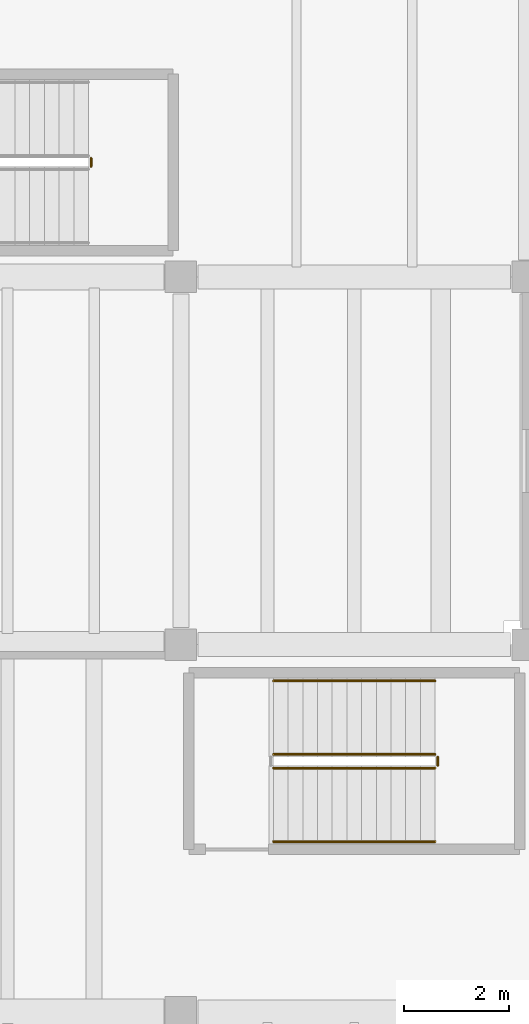
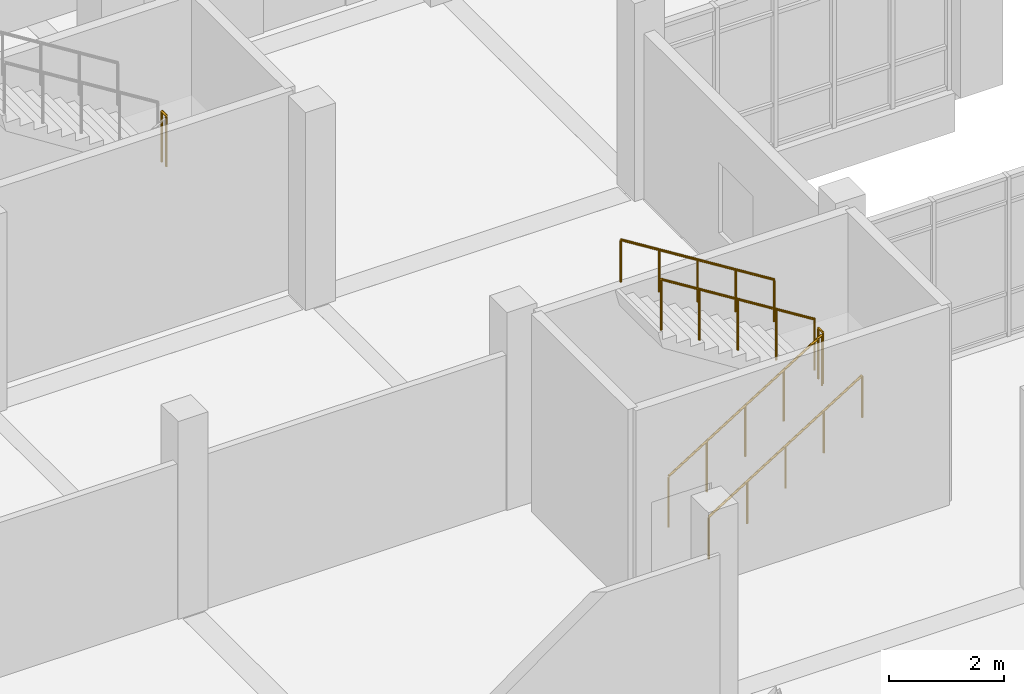
# One storey, part 66 of 68: 6 railings.
"""IFC4 building model written with IfcOpenShell, lengths in metres."""

import ifcopenshell
import ifcopenshell.guid

model = None  # the IFC model being written
_history = None  # IfcOwnerHistory: only IFC2X3 demands one
_inside = {}  # id of a spatial element -> (the spatial element, [elements in it])
_under = {}  # id of a project, library or spatial element -> (it, [spatial elements below it])
_declared = {}  # id of a project -> (the project, [libraries it declares])
_typed = {}  # id of a type object -> (the type object, [elements of that type])
_made_of = {}  # id of a material, layer set ... -> (it, [elements and type objects made of it])


def new_model(schema):
    """Start an empty IFC model of exactly this schema.

    Asked for "IFC4X3", IfcOpenShell would pick the latest addendum, in which some entities
    have other attributes; the version numbers below select the first issue.
    IFC2X3 requires an IfcOwnerHistory on every rooted entity: one is made here for all.
    """
    global model, _history
    if schema == "IFC4X3":
        model = ifcopenshell.file(schema_version=(4, 3, 0, 0))
    else:
        model = ifcopenshell.file(schema=schema)
    _inside.clear()
    _under.clear()
    _declared.clear()
    _typed.clear()
    _made_of.clear()
    _history = None
    if model.schema == "IFC2X3":
        org = make("IfcOrganization", Name="unknown")
        user = make(
            "IfcPersonAndOrganization",
            ThePerson=make("IfcPerson", FamilyName="unknown"),
            TheOrganization=org,
        )
        app = make(
            "IfcApplication",
            ApplicationDeveloper=org,
            Version="unknown",
            ApplicationFullName="unknown",
            ApplicationIdentifier="unknown",
        )
        _history = make(
            "IfcOwnerHistory",
            OwningUser=user,
            OwningApplication=app,
            ChangeAction="ADDED",
            CreationDate=0,
        )
    return model


def make(cls, **values):
    """One entity of the class cls with the attributes given. An attribute that is None is left unset."""
    return model.create_entity(
        cls, **{name: value for name, value in values.items() if value is not None}
    )


def rooted(cls, **values):
    """An entity with a GlobalId (a new one), such as an element, a storey or a relation."""
    return make(cls, GlobalId=ifcopenshell.guid.new(), OwnerHistory=_history, **values)


def si_unit(unit_type, name, prefix=None):
    """IfcSIUnit, for example si_unit("LENGTHUNIT", "METRE", prefix="MILLI")."""
    return make("IfcSIUnit", UnitType=unit_type, Prefix=prefix, Name=name)


def assignment(units):
    """IfcUnitAssignment: the units of a project."""
    return None if units is None else make("IfcUnitAssignment", Units=units)


def point(xyz):
    """IfcCartesianPoint."""
    return None if xyz is None else make("IfcCartesianPoint", Coordinates=xyz)


def direction(xyz):
    """IfcDirection."""
    return None if xyz is None else make("IfcDirection", DirectionRatios=xyz)


def frame(location, z_axis=None, x_axis=None):
    """IfcAxis2Placement3D, a coordinate frame: its origin and axes. An axis left out is left unset."""
    return make(
        "IfcAxis2Placement3D",
        Location=point(location),
        Axis=direction(z_axis),
        RefDirection=direction(x_axis),
    )


def frame_2d(location, x_axis=None):
    """IfcAxis2Placement2D, a coordinate frame in the plane: its origin and x axis."""
    return make(
        "IfcAxis2Placement2D", Location=point(location), RefDirection=direction(x_axis)
    )


def origin():
    """The frame at (0, 0, 0) with its axes left unset."""
    return frame((0.0, 0.0, 0.0))


def origin_2d():
    """The frame at (0, 0) in the plane with its x axis left unset."""
    return frame_2d((0.0, 0.0))


def place(relative_to, where):
    """IfcLocalPlacement: puts the frame where relative to a parent placement (None: the world)."""
    return make(
        "IfcLocalPlacement", PlacementRelTo=relative_to, RelativePlacement=where
    )


def context(
    kind, dimensions, precision=None, world=None, true_north=None, identifier=None
):
    """IfcGeometricRepresentationContext, for example the 3D "Model" context."""
    return make(
        "IfcGeometricRepresentationContext",
        ContextIdentifier=identifier,
        ContextType=kind,
        CoordinateSpaceDimension=dimensions,
        Precision=precision,
        WorldCoordinateSystem=world,
        TrueNorth=true_north,
    )


def subcontext(parent, identifier, kind, view, scale=None):
    """IfcGeometricRepresentationSubContext, for example "Body" below "Model"."""
    return make(
        "IfcGeometricRepresentationSubContext",
        ContextIdentifier=identifier,
        ContextType=kind,
        ParentContext=parent,
        TargetScale=scale,
        TargetView=view,
    )


def project(units=None, contexts=None):
    """IfcProject with its units and contexts."""
    return rooted(
        "IfcProject",
        Name="project",
        RepresentationContexts=contexts,
        UnitsInContext=assignment(units),
    )


def spatial(cls, under=None, at=None, **own):
    """A site, building, storey or space (cls), placed at a placement, below another one or the project."""
    s = rooted(cls, ObjectPlacement=at, **own)
    if under is not None:
        _under.setdefault(under.id(), (under, []))[1].append(s)
    return s


def profile(cls, at=None, kind="AREA", **sizes):
    """A parametric profile (cls). Its sizes go by their IFC names, for example OverallWidth=200.0."""
    return make(cls, ProfileType=kind, Position=at, **sizes)


def circle(**sizes):
    """IfcCircleProfileDef."""
    return profile("IfcCircleProfileDef", **sizes)


def extrude(swept, where, along, depth):
    """IfcExtrudedAreaSolid: the profile swept, set in the frame where, extruded along a direction by depth."""
    return make(
        "IfcExtrudedAreaSolid",
        SweptArea=swept,
        Position=where,
        ExtrudedDirection=direction(along),
        Depth=depth,
    )


def shape(context_of_items, identifier, shape_type, items):
    """IfcShapeRepresentation: the items that make up one representation, for example the "Body"."""
    return make(
        "IfcShapeRepresentation",
        ContextOfItems=context_of_items,
        RepresentationIdentifier=identifier,
        RepresentationType=shape_type,
        Items=items,
    )


def material(Name=None, Category=None):
    """IfcMaterial."""
    return make("IfcMaterial", Name=Name, Category=Category)


def made_of(thing, what):
    """Note that an element or type object is made of a material, layer set ...; save() writes the relation."""
    if what is not None:
        _made_of.setdefault(what.id(), (what, []))[1].append(thing)
    return thing


def type_object(cls, material=None, **own):
    """A type object (cls), such as IfcWallType, which elements share."""
    return made_of(rooted(cls, **own), material)


def element(
    cls,
    number,
    at=None,
    inside=None,
    cuts=None,
    type_object=None,
    material=None,
    context=None,
    identifier="Body",
    shape_type=None,
    held_by="IfcProductDefinitionShape",
    body=None,
    shapes=None,
    **own,
):
    """One element of the class cls, such as IfcWall. Its Tag is "e" and its number.

    at: its placement. inside: the storey or other place that contains it. cuts: it is an
    opening in that element (IfcRelVoidsElement). A single representation is given by context,
    identifier, shape_type and body (its items); several are given by shapes. held_by: the class
    of the entity that holds the representations. save() writes the other relations.
    """
    e = rooted(cls, Tag="e%d" % number, ObjectPlacement=at, **own)
    if body is not None:
        shapes = [shape(context, identifier, shape_type, body)]
    if shapes is not None:
        e.Representation = make(held_by, Representations=shapes)
    if inside is not None:
        _inside.setdefault(inside.id(), (inside, []))[1].append(e)
    if cuts is not None:
        rooted(
            "IfcRelVoidsElement", RelatingBuildingElement=cuts, RelatedOpeningElement=e
        )
    if type_object is not None:
        _typed.setdefault(type_object.id(), (type_object, []))[1].append(e)
    return made_of(e, material)


def aggregate(whole, parts):
    """IfcRelAggregates: a whole, such as a stair, and the parts it consists of."""
    return rooted("IfcRelAggregates", RelatingObject=whole, RelatedObjects=parts)


def save(model, path):
    """Write the relations noted so far, then the file.

    IfcRelAggregates (storeys below a building ...), IfcRelContainedInSpatialStructure (elements
    in a storey), IfcRelDefinesByType, IfcRelAssociatesMaterial and IfcRelDeclares: one each for
    every whole, place, type object, material and project.
    """
    for whole, parts in _under.values():
        aggregate(whole, parts)
    for where, things in _inside.values():
        rooted(
            "IfcRelContainedInSpatialStructure",
            RelatedElements=things,
            RelatingStructure=where,
        )
    for kind, things in _typed.values():
        rooted("IfcRelDefinesByType", RelatedObjects=things, RelatingType=kind)
    for what, things in _made_of.values():
        rooted("IfcRelAssociatesMaterial", RelatedObjects=things, RelatingMaterial=what)
    for by, libraries in _declared.values():
        rooted("IfcRelDeclares", RelatingContext=by, RelatedDefinitions=libraries)
    model.write(path)


model = new_model("IFC4")

# Units and contexts
model_context = context("Model", 3, precision=1e-05, world=origin(), true_north=direction((0.0, 1.0)))
body_context = subcontext(model_context, "Body", "Model", "MODEL_VIEW")
ifc_project = project(units=[si_unit("LENGTHUNIT", "METRE"), si_unit("AREAUNIT", "SQUARE_METRE"), si_unit("VOLUMEUNIT", "CUBIC_METRE"), si_unit("PLANEANGLEUNIT", "RADIAN"), si_unit("MASSUNIT", "GRAM", prefix="KILO")], contexts=[model_context])

# Site, building, storey
site_placement = place(None, origin())
site = spatial("IfcSite", under=ifc_project, at=site_placement, CompositionType="ELEMENT")
building_placement = place(site_placement, origin())
building = spatial("IfcBuilding", under=site, at=building_placement, Name="Ciguamira Faculty of Natural Sciences", CompositionType="ELEMENT")
storey_placement = place(building_placement, frame((0.0, 0.0, 4.199951171875)))
storey = spatial("IfcBuildingStorey", under=building, at=storey_placement, Name="L01", CompositionType="ELEMENT", Elevation=4.199951171875)

# Railings
ifc_material_1 = material(Name="Stainless steel balustrade", Category="steel")
railing_type_1 = type_object("IfcRailingType", Name="Guardrail_GR01", PredefinedType="GUARDRAIL", material=ifc_material_1)
railing_1_placement = place(storey_placement, frame((101.7900390625, 96.10009765625, 2.10009765625)))
element("IfcRailing", 1, at=railing_1_placement, inside=storey, type_object=railing_type_1, Name="L01 ST-T2 stair guard 2", PredefinedType="GUARDRAIL", context=body_context, shape_type="SweptSolid", body=[
    extrude(circle(Radius=0.02392578125, at=origin_2d()), frame((0.0, 0.0, 1.076171875), z_axis=(0.0, 1.0, 0.0), x_axis=(-1.0, 0.0, 0.0)), (0.0, 0.0, 1.0), 0.159912109375),
    extrude(circle(Radius=0.02099609375, at=origin_2d()), origin(), (0.0, 0.0, 1.0), 1.052001953125),
    extrude(circle(Radius=0.02099609375, at=origin_2d()), frame((0.0, 0.159912109375, 0.0)), (0.0, 0.0, 1.0), 1.052001953125),
])
railing_2_placement = place(storey_placement, frame((105.260009765625, 84.64990234375, 0.175048828125)))
element("IfcRailing", 2, at=railing_2_placement, inside=storey, type_object=railing_type_1, Name="L01 ST-W2 stair guard 1", PredefinedType="GUARDRAIL", context=body_context, shape_type="SweptSolid", body=[
    extrude(circle(Radius=0.02392578125, at=origin_2d()), frame((0.0, 0.0, 1.076171875), z_axis=(0.847998304005, 0.0, 0.529998940003), x_axis=(0.0, 1.0, 0.0)), (0.0, 0.0, 1.0), 3.632080078125),
    extrude(circle(Radius=0.02099609375, at=origin_2d()), origin(), (0.0, 0.0, 1.0), 1.052001953125),
    extrude(circle(Radius=0.02099609375, at=origin_2d()), frame((0.77001953125, 0.0, 0.481201171875)), (0.0, 0.0, 1.0), 1.052001953125),
    extrude(circle(Radius=0.02099609375, at=origin_2d()), frame((1.5400390625, 0.0, 0.96240234375)), (0.0, 0.0, 1.0), 1.052001953125),
    extrude(circle(Radius=0.02099609375, at=origin_2d()), frame((2.31005859375, 0.0, 1.44384765625)), (0.0, 0.0, 1.0), 1.052001953125),
    extrude(circle(Radius=0.02099609375, at=origin_2d()), frame((3.080078125, 0.0, 1.925048828125)), (0.0, 0.0, 1.0), 1.052001953125),
])
railing_3_placement = place(storey_placement, frame((108.389892578125, 84.699951171875, 2.10009765625)))
element("IfcRailing", 3, at=railing_3_placement, inside=storey, type_object=railing_type_1, Name="L01 ST-W2 stair guard 2", PredefinedType="GUARDRAIL", context=body_context, shape_type="SweptSolid", body=[
    extrude(circle(Radius=0.02392578125, at=origin_2d()), frame((0.0, 0.0, 1.076171875), z_axis=(0.0, 1.0, 0.0), x_axis=(-1.0, 0.0, 0.0)), (0.0, 0.0, 1.0), 0.16015625),
    extrude(circle(Radius=0.02099609375, at=origin_2d()), origin(), (0.0, 0.0, 1.0), 1.052001953125),
    extrude(circle(Radius=0.02099609375, at=origin_2d()), frame((0.0, 0.16015625, 0.0)), (0.0, 0.0, 1.0), 1.052001953125),
])
railing_4_placement = place(storey_placement, frame((108.340087890625, 84.909912109375, 2.275146484375)))
element("IfcRailing", 4, at=railing_4_placement, inside=storey, type_object=railing_type_1, Name="L01 ST-W2 stair guard 3", PredefinedType="GUARDRAIL", context=body_context, shape_type="SweptSolid", body=[
    extrude(circle(Radius=0.02392578125, at=origin_2d()), frame((0.0, 0.0, 1.076171875), z_axis=(-0.848028513186, 0.0, 0.529950602248), x_axis=(0.0, -1.0, 0.0)), (0.0, 0.0, 1.0), 3.632080078125),
    extrude(circle(Radius=0.02099609375, at=origin_2d()), origin(), (0.0, 0.0, 1.0), 1.052001953125),
    extrude(circle(Radius=0.02099609375, at=origin_2d()), frame((-0.77001953125, 0.0, 0.481201171875)), (0.0, 0.0, 1.0), 1.052001953125),
    extrude(circle(Radius=0.02099609375, at=origin_2d()), frame((-1.5400390625, 0.0, 0.96240234375)), (0.0, 0.0, 1.0), 1.052001953125),
    extrude(circle(Radius=0.02099609375, at=origin_2d()), frame((-2.31005859375, 0.0, 1.443603515625)), (0.0, 0.0, 1.0), 1.052001953125),
    extrude(circle(Radius=0.02099609375, at=origin_2d()), frame((-3.080078125, 0.0, 1.9248046875)), (0.0, 0.0, 1.0), 1.052001953125),
])
ifc_material_2 = material(Name="Stainless steel handrail", Category="steel")
railing_type_2 = type_object("IfcRailingType", Name="Handrail_HR01", PredefinedType="HANDRAIL", material=ifc_material_2)
railing_5_placement = place(storey_placement, frame((105.260009765625, 83.25, 0.35009765625)))
element("IfcRailing", 5, at=railing_5_placement, inside=storey, type_object=railing_type_2, Name="L01 ST-W2 stair handrail 1", PredefinedType="HANDRAIL", context=body_context, shape_type="SweptSolid", body=[
    extrude(circle(Radius=0.02392578125, at=origin_2d()), frame((0.0, 0.0, 0.89111328125), z_axis=(0.847998304005, 0.0, 0.529998940003), x_axis=(0.0, 1.0, 0.0)), (0.0, 0.0, 1.0), 3.632080078125),
    extrude(circle(Radius=0.02099609375, at=origin_2d()), origin(), (0.0, 0.0, 1.0), 0.866943359375),
    extrude(circle(Radius=0.02099609375, at=origin_2d()), frame((0.77001953125, 0.0, 0.481201171875)), (0.0, 0.0, 1.0), 0.866943359375),
    extrude(circle(Radius=0.02099609375, at=origin_2d()), frame((1.5400390625, 0.0, 0.96240234375)), (0.0, 0.0, 1.0), 0.866943359375),
    extrude(circle(Radius=0.02099609375, at=origin_2d()), frame((2.31005859375, 0.0, 1.44384765625)), (0.0, 0.0, 1.0), 0.866943359375),
    extrude(circle(Radius=0.02099609375, at=origin_2d()), frame((3.080078125, 0.0, 1.925048828125)), (0.0, 0.0, 1.0), 0.866943359375),
])
railing_6_placement = place(storey_placement, frame((108.340087890625, 86.31005859375, 2.449951171875)))
element("IfcRailing", 6, at=railing_6_placement, inside=storey, type_object=railing_type_2, Name="L01 ST-W2 stair handrail 2", PredefinedType="HANDRAIL", context=body_context, shape_type="SweptSolid", body=[
    extrude(circle(Radius=0.02392578125, at=origin_2d()), frame((0.0, 0.0, 0.89111328125), z_axis=(-0.847998304005, 0.0, 0.529998940003), x_axis=(0.0, -1.0, 0.0)), (0.0, 0.0, 1.0), 3.632080078125),
    extrude(circle(Radius=0.02099609375, at=origin_2d()), origin(), (0.0, 0.0, 1.0), 0.866943359375),
    extrude(circle(Radius=0.02099609375, at=origin_2d()), frame((-0.77001953125, 0.0, 0.481201171875)), (0.0, 0.0, 1.0), 0.866943359375),
    extrude(circle(Radius=0.02099609375, at=origin_2d()), frame((-1.5400390625, 0.0, 0.96240234375)), (0.0, 0.0, 1.0), 0.866943359375),
    extrude(circle(Radius=0.02099609375, at=origin_2d()), frame((-2.31005859375, 0.0, 1.44384765625)), (0.0, 0.0, 1.0), 0.866943359375),
    extrude(circle(Radius=0.02099609375, at=origin_2d()), frame((-3.080078125, 0.0, 1.925048828125)), (0.0, 0.0, 1.0), 0.866943359375),
])

save(model, "model.ifc")
